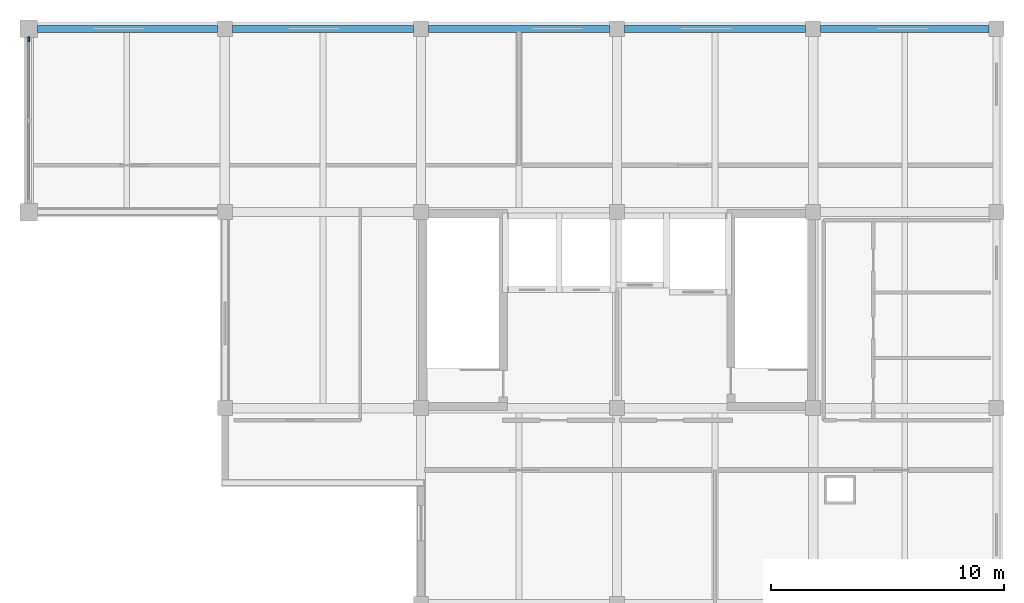
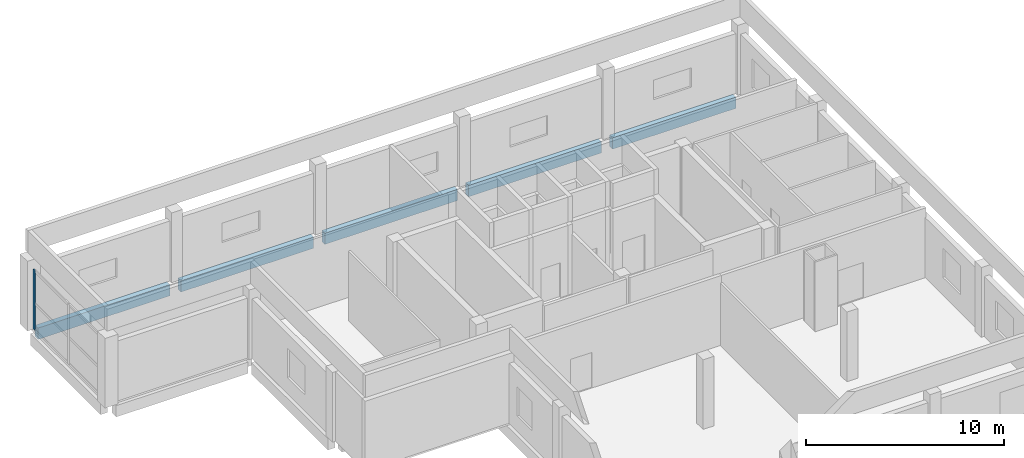
# One storey, part 4 of 8: 5 beams, 1 member, 1 element without a shape of its own.
"""IFC4 building model written with IfcOpenShell, lengths in metres."""

from ifc_helpers import new_model, si_unit, direction, frame, origin, origin_2d, place, context, subcontext, project, spatial, rectangle, extrude, material, material_profile, profile_set, type_object, element, aggregate, save


model = new_model("IFC4")

# Units and contexts
model_context = context("Model", 3, precision=1e-05, world=origin(), true_north=direction((0.0, 1.0)))
body_context = subcontext(model_context, "Body", "Model", "MODEL_VIEW")
ifc_project = project(units=[si_unit("LENGTHUNIT", "METRE"), si_unit("AREAUNIT", "SQUARE_METRE"), si_unit("VOLUMEUNIT", "CUBIC_METRE"), si_unit("PLANEANGLEUNIT", "RADIAN"), si_unit("MASSUNIT", "GRAM", prefix="KILO")], contexts=[model_context])

# Site, building, storey
site_placement = place(None, origin())
site = spatial("IfcSite", under=ifc_project, at=site_placement, CompositionType="ELEMENT")
building_placement = place(site_placement, origin())
building = spatial("IfcBuilding", under=site, at=building_placement, Name="Brinegate Botanical Conservatory", CompositionType="ELEMENT")
storey_placement = place(building_placement, frame((0.0, 0.0, 65.699951171875)))
storey = spatial("IfcBuildingStorey", under=building, at=storey_placement, Name="L16", CompositionType="ELEMENT", Elevation=65.699951171875)

# Beams
ifc_material_1 = material(Name="Concrete C40/50", Category="concrete")
ifc_material_profile_1 = material_profile(ifc_material_1, rectangle(XDim=0.300048828125, YDim=0.699951171875, at=origin_2d()), Name="RC SPN 300x700")
ifc_profile_set_1 = profile_set([ifc_material_profile_1], Name="Concrete C40/50")
beam_type = type_object("IfcBeamType", Name="Beam_SP-02", PredefinedType="SPANDREL", material=ifc_profile_set_1)
beam_1_placement = place(storey_placement, frame((122.375, 111.449951171875, -0.570068359375), z_axis=(1.0, 0.0, 0.0), x_axis=(0.0, 1.0, 0.0)))
element("IfcBeam", 1, at=beam_1_placement, inside=storey, type_object=beam_type, Name="Beam SP-02 L16 P:16-17", PredefinedType="SPANDREL", context=body_context, shape_type="SweptSolid", body=[
    extrude(rectangle(XDim=0.300048828125, YDim=0.699951171875, at=origin_2d()), origin(), (0.0, 0.0, 1.0), 7.699951171875),
])
for number, where, z_axis, x_axis, name in (
    (2, (130.72509765625, 111.449951171875, -0.570068359375), (1.0, 0.0, 0.0), (0.0, 1.0, 0.0), "Beam SP-02 L16 P:17-18"),
    (3, (139.125, 111.449951171875, -0.570068359375), (1.0, 0.0, 0.0), (0.0, 1.0, 0.0), "Beam SP-02 L16 P:18-19"),
    (4, (147.52490234375, 111.449951171875, -0.570068359375), (1.0, 0.0, 0.0), (0.0, 1.0, 0.0), "Beam SP-02 L16 P:19-20"),
):
    element("IfcBeam", number, at=place(storey_placement, frame(where, z_axis=z_axis, x_axis=x_axis)), inside=storey, type_object=beam_type, Name=name, PredefinedType="SPANDREL", context=body_context, shape_type="SweptSolid", body=[
        extrude(rectangle(XDim=0.300048828125, YDim=0.699951171875, at=origin_2d()), origin(), (0.0, 0.0, 1.0), 7.75),
    ])
beam_2_placement = place(storey_placement, frame((155.925048828125, 111.449951171875, -0.570068359375), z_axis=(1.0, 0.0, 0.0), x_axis=(0.0, 1.0, 0.0)))
element("IfcBeam", 5, at=beam_2_placement, inside=storey, type_object=beam_type, Name="Beam SP-02 L16 P:20-21", PredefinedType="SPANDREL", context=body_context, shape_type="SweptSolid", body=[
    extrude(rectangle(XDim=0.300048828125, YDim=0.699951171875, at=origin_2d()), origin(), (0.0, 0.0, 1.0), 7.199951171875),
])

# Curtain wall, member
ifc_material_2 = material(Name="Thermally broken anodised aluminium AW-6063-T6", Category="aluminium")
curtain_wall_type = type_object("IfcCurtainWallType", Name="CW_CW-TW1", PredefinedType="USERDEFINED", material=ifc_material_2)
curtain_wall_placement = place(storey_placement, origin())
curtain_wall = element("IfcCurtainWall", 6, at=curtain_wall_placement, inside=storey, type_object=curtain_wall_type, Name="Tower north-west curtain wall L16", ObjectType="FACTORY CURTAIN WALL", PredefinedType="USERDEFINED")
ifc_material_profile_2 = material_profile(ifc_material_2, rectangle(XDim=0.070068359375, YDim=0.199951171875, at=origin_2d()), Name="ALUM MULLION 70x200")
ifc_profile_set_2 = profile_set([ifc_material_profile_2], Name="Thermally broken anodised aluminium AW-6063-T6")
member_type = type_object("IfcMemberType", Name="Member_ML-03", PredefinedType="MULLION", material=ifc_profile_set_2)
member_placement = place(storey_placement, frame((122.0, 111.0, 0.0), z_axis=(0.0, 0.0, 1.0), x_axis=(-1.0, 0.0, 0.0)))
member = element("IfcMember", 7, at=member_placement, type_object=member_type, Name="CW-TW1 mullion 3", PredefinedType="MULLION", context=body_context, shape_type="SweptSolid", body=[
    extrude(rectangle(XDim=0.070068359375, YDim=0.199951171875, at=origin_2d()), origin(), (0.0, 0.0, 1.0), 3.699951171875),
])
aggregate(curtain_wall, [member])

save(model, "model.ifc")
